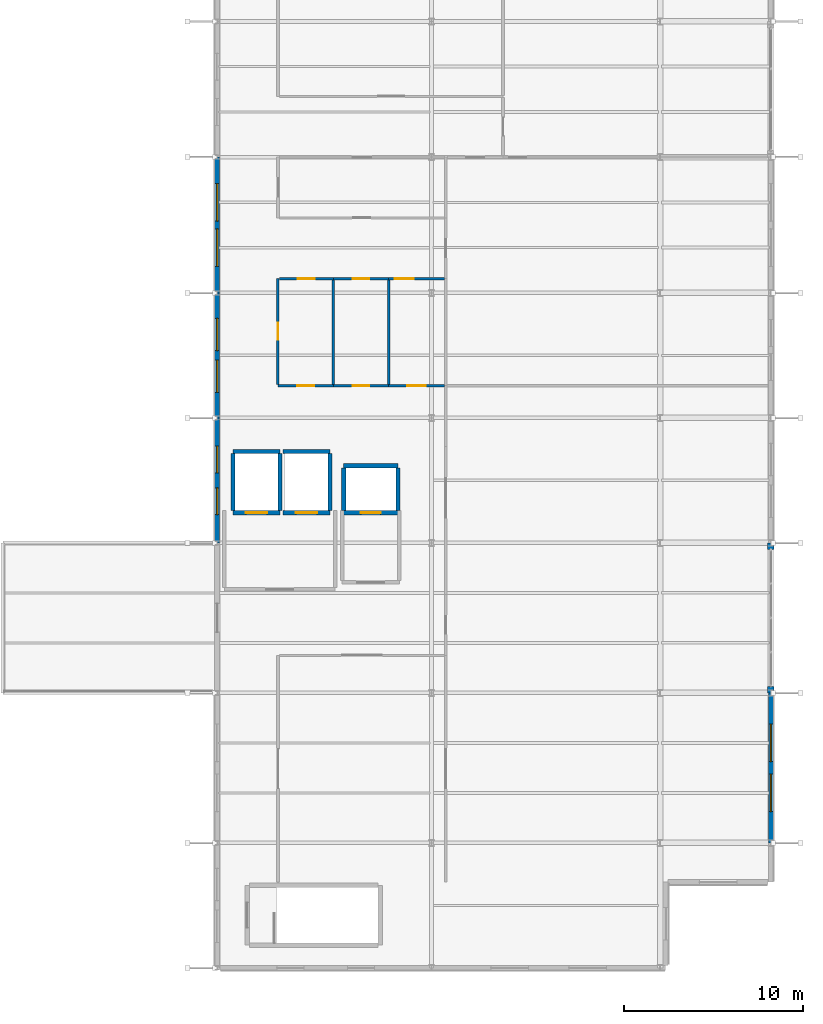
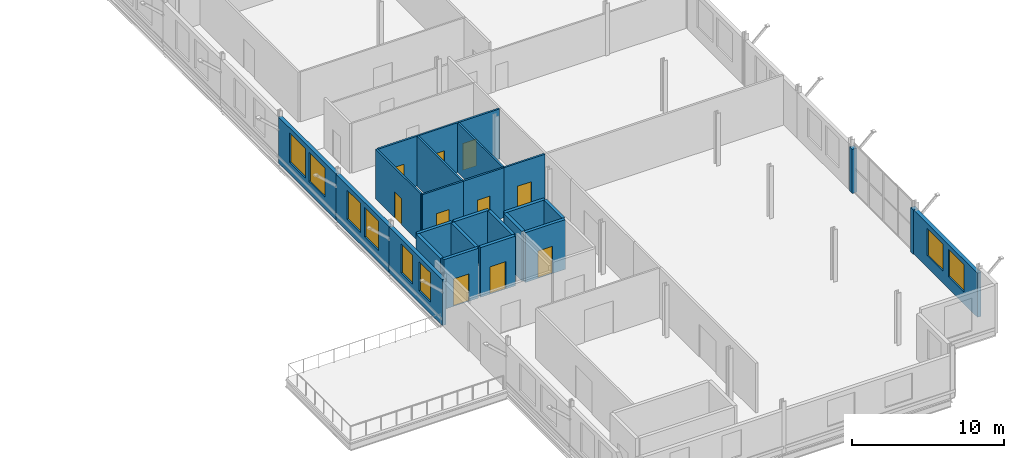
# One storey, part 21 of 25: 26 walls, 10 doors, 8 windows, 18 openings.
"""IFC4 building model written with IfcOpenShell, lengths in metres."""

from ifc_helpers import new_model, si_unit, direction, frame, frame_2d, origin, place, context, subcontext, project, spatial, rectangle, extrude, material, layer, layer_set, type_object, element, fill, save


model = new_model("IFC4")

# Units and contexts
model_context = context("Model", 3, precision=1e-05, world=origin(), true_north=direction((0.0, 1.0)))
body_context = subcontext(model_context, "Body", "Model", "MODEL_VIEW")
ifc_project = project(units=[si_unit("LENGTHUNIT", "METRE"), si_unit("AREAUNIT", "SQUARE_METRE"), si_unit("VOLUMEUNIT", "CUBIC_METRE"), si_unit("PLANEANGLEUNIT", "RADIAN"), si_unit("MASSUNIT", "GRAM", prefix="KILO")], contexts=[model_context])

# Site, building, storey
site_placement = place(None, origin())
site = spatial("IfcSite", under=ifc_project, at=site_placement, CompositionType="ELEMENT")
building_placement = place(site_placement, origin())
building = spatial("IfcBuilding", under=site, at=building_placement, Name="Vekula Escarpment Museum", CompositionType="ELEMENT")
storey_placement = place(building_placement, frame((0.0, 0.0, 26.39990234375)))
storey = spatial("IfcBuildingStorey", under=building, at=storey_placement, Name="L06", CompositionType="ELEMENT", Elevation=26.39990234375)

# Walls
ifc_material_1 = material(Name="Inkisi arkosic sandstone masonry", Category="masonry")
ifc_layer_1 = layer(ifc_material_1, 0.35009765625)
ifc_layer_set_1 = layer_set([ifc_layer_1], Name="Inkisi arkosic sandstone masonry")
wall_type_1 = type_object("IfcWallType", Name="WL-ALM-350", PredefinedType="SOLIDWALL", material=ifc_layer_set_1)
wall_1_placement = place(storey_placement, frame((198.0, 68.0, 0.0), z_axis=(0.0, 0.0, 1.0), x_axis=(0.0, 1.0, 0.0)))
element("IfcWall", 1, at=wall_1_placement, inside=storey, type_object=wall_type_1, Name="Facade Jamb Pier L06-0907A", PredefinedType="SOLIDWALL", context=body_context, shape_type="SweptSolid", body=[
    extrude(rectangle(XDim=0.360107421875, YDim=0.35009765625, at=frame_2d((0.18017578125, 0.0))), origin(), (0.0, 0.0, 1.0), 3.545166015625),
])
wall_2_placement = place(storey_placement, frame((198.0, 76.0400390625, 0.0), z_axis=(0.0, 0.0, 1.0), x_axis=(0.0, 1.0, 0.0)))
element("IfcWall", 2, at=wall_2_placement, inside=storey, type_object=wall_type_1, Name="Facade Jamb Pier L06-0908B", PredefinedType="SOLIDWALL", context=body_context, shape_type="SweptSolid", body=[
    extrude(rectangle(XDim=0.35986328125, YDim=0.35009765625, at=frame_2d((0.179931640625, 0.0))), origin(), (0.0, 0.0, 1.0), 3.545166015625),
])

# Wall, openings, windows
ifc_material_2 = material(Name="Inkisi arkosic sandstone masonry", Category="masonry")
ifc_layer_2 = layer(ifc_material_2, 0.280029296875)
ifc_layer_set_2 = layer_set([ifc_layer_2], Name="Inkisi arkosic sandstone masonry")
wall_type_2 = type_object("IfcWallType", Name="WL-CUM-280", PredefinedType="SOLIDWALL", material=ifc_layer_set_2)
wall_3_placement = place(storey_placement, frame((198.0, 68.0, 0.0), z_axis=(0.0, 0.0, 1.0), x_axis=(0.0, -1.0, 0.0)))
wall_3 = element("IfcWall", 3, at=wall_3_placement, inside=storey, type_object=wall_type_2, Name="Exterior Wall WL-EXT-L06-0906", PredefinedType="SOLIDWALL", context=body_context, shape_type="SweptSolid", body=[
    extrude(rectangle(XDim=8.39990234375, YDim=0.280029296875, at=frame_2d((4.199951171875, 0.0))), origin(), (0.0, 0.0, 1.0), 3.545166015625),
])
opening_1_placement = place(wall_3_placement, frame((1.75, 0.0, 0.949951171875)))
opening_1 = element("IfcOpeningElement", 4, at=opening_1_placement, cuts=wall_3, Name="Opening WN-08", PredefinedType="OPENING", context=body_context, shape_type="SweptSolid", body=[
    extrude(rectangle(XDim=2.10009765625, YDim=2.199951171875, at=frame_2d((1.050048828125, 1.10009765625))), frame((0.0, 0.14990234375, 0.0), z_axis=(0.0, -1.0, 0.0), x_axis=(1.0, 0.0, 0.0)), (0.0, 0.0, 1.0), 0.300048828125),
])
opening_2_placement = place(wall_3_placement, frame((4.550048828125, 0.0, 0.949951171875)))
opening_2 = element("IfcOpeningElement", 5, at=opening_2_placement, cuts=wall_3, Name="Opening WN-08", PredefinedType="OPENING", context=body_context, shape_type="SweptSolid", body=[
    extrude(rectangle(XDim=2.10009765625, YDim=2.199951171875, at=frame_2d((1.050048828125, 1.10009765625))), frame((0.0, 0.14990234375, 0.0), z_axis=(0.0, -1.0, 0.0), x_axis=(1.0, 0.0, 0.0)), (0.0, 0.0, 1.0), 0.300048828125),
])
ifc_material_3 = material(Name="Double solar-control low-E glass", Category="glass")
window_type_1 = type_object("IfcWindowType", Name="WN-CUMBA-21x28", PartitioningType="DOUBLE_PANEL_VERTICAL", PredefinedType="WINDOW", material=ifc_material_3)
window_1_placement = place(opening_1_placement, origin())
window_1 = element("IfcWindow", 6, at=window_1_placement, inside=storey, type_object=window_type_1, Name="Window L06-0504", OverallHeight=2.199951171875, OverallWidth=2.10009765625, PartitioningType="SINGLE_PANEL", PredefinedType="WINDOW", context=body_context, shape_type="SweptSolid", body=[
    extrude(rectangle(XDim=2.10009765625, YDim=2.199951171875, at=frame_2d((1.050048828125, 1.10009765625))), frame((0.0, 0.030029296875, 0.0), z_axis=(0.0, -1.0, 0.0), x_axis=(1.0, 0.0, 0.0)), (0.0, 0.0, 1.0), 0.06005859375),
])
fill(opening_1, window_1)
window_2_placement = place(opening_2_placement, origin())
window_2 = element("IfcWindow", 7, at=window_2_placement, inside=storey, type_object=window_type_1, Name="Window L06-0505", OverallHeight=2.199951171875, OverallWidth=2.10009765625, PartitioningType="SINGLE_PANEL", PredefinedType="WINDOW", context=body_context, shape_type="SweptSolid", body=[
    extrude(rectangle(XDim=2.10009765625, YDim=2.199951171875, at=frame_2d((1.050048828125, 1.10009765625))), frame((0.0, 0.030029296875, 0.0), z_axis=(0.0, -1.0, 0.0), x_axis=(1.0, 0.0, 0.0)), (0.0, 0.0, 1.0), 0.06005859375),
])
fill(opening_2, window_2)

wall_4_placement = place(storey_placement, frame((167.0, 90.39990234375, 0.0), z_axis=(0.0, 0.0, 1.0), x_axis=(0.0, 1.0, 0.0)))
wall_4 = element("IfcWall", 8, at=wall_4_placement, inside=storey, type_object=wall_type_2, Name="Exterior Wall WL-EXT-L06-0923", PredefinedType="SOLIDWALL", context=body_context, shape_type="SweptSolid", body=[
    extrude(rectangle(XDim=7.60009765625, YDim=0.280029296875, at=frame_2d((3.800048828125, 0.0))), origin(), (0.0, 0.0, 1.0), 3.695068359375),
])
opening_3_placement = place(wall_4_placement, frame((1.4833984375, 0.0, 0.949951171875)))
opening_3 = element("IfcOpeningElement", 9, at=opening_3_placement, cuts=wall_4, Name="Opening WN-08", PredefinedType="OPENING", context=body_context, shape_type="SweptSolid", body=[
    extrude(rectangle(XDim=2.10009765625, YDim=2.35009765625, at=frame_2d((1.050048828125, 1.175048828125))), frame((0.0, 0.14990234375, 0.0), z_axis=(0.0, -1.0, 0.0), x_axis=(1.0, 0.0, 0.0)), (0.0, 0.0, 1.0), 0.300048828125),
])
opening_4_placement = place(wall_4_placement, frame((4.0166015625, 0.0, 0.949951171875)))
opening_4 = element("IfcOpeningElement", 10, at=opening_4_placement, cuts=wall_4, Name="Opening WN-08", PredefinedType="OPENING", context=body_context, shape_type="SweptSolid", body=[
    extrude(rectangle(XDim=2.10009765625, YDim=2.35009765625, at=frame_2d((1.050048828125, 1.175048828125))), frame((0.0, 0.14990234375, 0.0), z_axis=(0.0, -1.0, 0.0), x_axis=(1.0, 0.0, 0.0)), (0.0, 0.0, 1.0), 0.300048828125),
])
window_3_placement = place(opening_3_placement, origin())
window_3 = element("IfcWindow", 11, at=window_3_placement, inside=storey, type_object=window_type_1, Name="Window L06-0525", OverallHeight=2.35009765625, OverallWidth=2.10009765625, PartitioningType="SINGLE_PANEL", PredefinedType="WINDOW", context=body_context, shape_type="SweptSolid", body=[
    extrude(rectangle(XDim=2.10009765625, YDim=2.35009765625, at=frame_2d((1.050048828125, 1.175048828125))), frame((0.0, 0.030029296875, 0.0), z_axis=(0.0, -1.0, 0.0), x_axis=(1.0, 0.0, 0.0)), (0.0, 0.0, 1.0), 0.06005859375),
])
fill(opening_3, window_3)
window_4_placement = place(opening_4_placement, origin())
window_4 = element("IfcWindow", 12, at=window_4_placement, inside=storey, type_object=window_type_1, Name="Window L06-0526", OverallHeight=2.35009765625, OverallWidth=2.10009765625, PartitioningType="SINGLE_PANEL", PredefinedType="WINDOW", context=body_context, shape_type="SweptSolid", body=[
    extrude(rectangle(XDim=2.10009765625, YDim=2.35009765625, at=frame_2d((1.050048828125, 1.175048828125))), frame((0.0, 0.030029296875, 0.0), z_axis=(0.0, -1.0, 0.0), x_axis=(1.0, 0.0, 0.0)), (0.0, 0.0, 1.0), 0.06005859375),
])
fill(opening_4, window_4)

wall_5_placement = place(storey_placement, frame((167.0, 83.39990234375, 0.0), z_axis=(0.0, 0.0, 1.0), x_axis=(0.0, 1.0, 0.0)))
wall_5 = element("IfcWall", 13, at=wall_5_placement, inside=storey, type_object=wall_type_2, Name="Exterior Wall WL-EXT-L06-0924", PredefinedType="SOLIDWALL", context=body_context, shape_type="SweptSolid", body=[
    extrude(rectangle(XDim=7.0, YDim=0.280029296875, at=frame_2d((3.5, 0.0))), origin(), (0.0, 0.0, 1.0), 3.695068359375),
])
opening_5_placement = place(wall_5_placement, frame((1.433349609375, 0.0, 0.949951171875)))
opening_5 = element("IfcOpeningElement", 14, at=opening_5_placement, cuts=wall_5, Name="Opening WN-07", PredefinedType="OPENING", context=body_context, shape_type="SweptSolid", body=[
    extrude(rectangle(XDim=1.800048828125, YDim=2.35009765625, at=frame_2d((0.89990234375, 1.175048828125))), frame((0.0, 0.14990234375, 0.0), z_axis=(0.0, -1.0, 0.0), x_axis=(1.0, 0.0, 0.0)), (0.0, 0.0, 1.0), 0.300048828125),
])
opening_6_placement = place(wall_5_placement, frame((3.7666015625, 0.0, 0.949951171875)))
opening_6 = element("IfcOpeningElement", 15, at=opening_6_placement, cuts=wall_5, Name="Opening WN-07", PredefinedType="OPENING", context=body_context, shape_type="SweptSolid", body=[
    extrude(rectangle(XDim=1.800048828125, YDim=2.35009765625, at=frame_2d((0.89990234375, 1.175048828125))), frame((0.0, 0.14990234375, 0.0), z_axis=(0.0, -1.0, 0.0), x_axis=(1.0, 0.0, 0.0)), (0.0, 0.0, 1.0), 0.300048828125),
])
ifc_material_4 = material(Name="Double solar-control low-E glass", Category="glass")
window_type_2 = type_object("IfcWindowType", Name="WN-CUMBA-18x26", PartitioningType="DOUBLE_PANEL_VERTICAL", PredefinedType="WINDOW", material=ifc_material_4)
window_5_placement = place(opening_5_placement, origin())
window_5 = element("IfcWindow", 16, at=window_5_placement, inside=storey, type_object=window_type_2, Name="Window L06-0527", OverallHeight=2.35009765625, OverallWidth=1.800048828125, PartitioningType="SINGLE_PANEL", PredefinedType="WINDOW", context=body_context, shape_type="SweptSolid", body=[
    extrude(rectangle(XDim=1.800048828125, YDim=2.35009765625, at=frame_2d((0.89990234375, 1.175048828125))), frame((0.0, 0.030029296875, 0.0), z_axis=(0.0, -1.0, 0.0), x_axis=(1.0, 0.0, 0.0)), (0.0, 0.0, 1.0), 0.06005859375),
])
fill(opening_5, window_5)
window_6_placement = place(opening_6_placement, origin())
window_6 = element("IfcWindow", 17, at=window_6_placement, inside=storey, type_object=window_type_2, Name="Window L06-0528", OverallHeight=2.35009765625, OverallWidth=1.800048828125, PartitioningType="SINGLE_PANEL", PredefinedType="WINDOW", context=body_context, shape_type="SweptSolid", body=[
    extrude(rectangle(XDim=1.800048828125, YDim=2.35009765625, at=frame_2d((0.89990234375, 1.175048828125))), frame((0.0, 0.030029296875, 0.0), z_axis=(0.0, -1.0, 0.0), x_axis=(1.0, 0.0, 0.0)), (0.0, 0.0, 1.0), 0.06005859375),
])
fill(opening_6, window_6)

wall_6_placement = place(storey_placement, frame((167.0, 76.39990234375, 0.0), z_axis=(0.0, 0.0, 1.0), x_axis=(0.0, 1.0, 0.0)))
wall_6 = element("IfcWall", 18, at=wall_6_placement, inside=storey, type_object=wall_type_2, Name="Exterior Wall WL-EXT-L06-0925", PredefinedType="SOLIDWALL", context=body_context, shape_type="SweptSolid", body=[
    extrude(rectangle(XDim=7.0, YDim=0.280029296875, at=frame_2d((3.5, 0.0))), origin(), (0.0, 0.0, 1.0), 3.695068359375),
])
opening_7_placement = place(wall_6_placement, frame((1.583251953125, 0.0, 0.949951171875)))
opening_7 = element("IfcOpeningElement", 19, at=opening_7_placement, cuts=wall_6, Name="Opening WN-06", PredefinedType="OPENING", context=body_context, shape_type="SweptSolid", body=[
    extrude(rectangle(XDim=1.5, YDim=2.35009765625, at=frame_2d((0.75, 1.175048828125))), frame((0.0, 0.14990234375, 0.0), z_axis=(0.0, -1.0, 0.0), x_axis=(1.0, 0.0, 0.0)), (0.0, 0.0, 1.0), 0.300048828125),
])
opening_8_placement = place(wall_6_placement, frame((3.916748046875, 0.0, 0.949951171875)))
opening_8 = element("IfcOpeningElement", 20, at=opening_8_placement, cuts=wall_6, Name="Opening WN-06", PredefinedType="OPENING", context=body_context, shape_type="SweptSolid", body=[
    extrude(rectangle(XDim=1.5, YDim=2.35009765625, at=frame_2d((0.75, 1.175048828125))), frame((0.0, 0.14990234375, 0.0), z_axis=(0.0, -1.0, 0.0), x_axis=(1.0, 0.0, 0.0)), (0.0, 0.0, 1.0), 0.300048828125),
])
ifc_material_5 = material(Name="Double solar-control low-E glass", Category="glass")
window_type_3 = type_object("IfcWindowType", Name="WN-CUMBA-15x24", PartitioningType="SINGLE_PANEL", PredefinedType="WINDOW", material=ifc_material_5)
window_7_placement = place(opening_7_placement, origin())
window_7 = element("IfcWindow", 21, at=window_7_placement, inside=storey, type_object=window_type_3, Name="Window L06-0529", OverallHeight=2.35009765625, OverallWidth=1.5, PartitioningType="SINGLE_PANEL", PredefinedType="WINDOW", context=body_context, shape_type="SweptSolid", body=[
    extrude(rectangle(XDim=1.5, YDim=2.35009765625, at=frame_2d((0.75, 1.175048828125))), frame((0.0, 0.030029296875, 0.0), z_axis=(0.0, -1.0, 0.0), x_axis=(1.0, 0.0, 0.0)), (0.0, 0.0, 1.0), 0.06005859375),
])
fill(opening_7, window_7)
window_8_placement = place(opening_8_placement, origin())
window_8 = element("IfcWindow", 22, at=window_8_placement, inside=storey, type_object=window_type_3, Name="Window L06-0530", OverallHeight=2.35009765625, OverallWidth=1.5, PartitioningType="SINGLE_PANEL", PredefinedType="WINDOW", context=body_context, shape_type="SweptSolid", body=[
    extrude(rectangle(XDim=1.5, YDim=2.35009765625, at=frame_2d((0.75, 1.175048828125))), frame((0.0, 0.030029296875, 0.0), z_axis=(0.0, -1.0, 0.0), x_axis=(1.0, 0.0, 0.0)), (0.0, 0.0, 1.0), 0.06005859375),
])
fill(opening_8, window_8)

# Wall, opening, door
ifc_material_6 = material(Name="Moisture-resistant wet-room partition", Category="gypsum")
ifc_layer_3 = layer(ifc_material_6, 0.139892578125)
ifc_layer_set_3 = layer_set([ifc_layer_3], Name="Moisture-resistant wet-room partition")
wall_type_3 = type_object("IfcWallType", Name="WL-PART-140", PredefinedType="PARTITIONING", material=ifc_layer_set_3)
wall_7_placement = place(storey_placement, frame((170.39990234375, 85.199951171875, 0.0), z_axis=(0.0, 0.0, 1.0), x_axis=(1.0, 0.0, 0.0)))
wall_7 = element("IfcWall", 23, at=wall_7_placement, inside=storey, type_object=wall_type_3, Name="Interior Partition WL-INT-L06-0006", PredefinedType="PARTITIONING", context=body_context, shape_type="SweptSolid", body=[
    extrude(rectangle(XDim=3.10009765625, YDim=0.139892578125, at=frame_2d((1.550048828125, 0.0))), origin(), (0.0, 0.0, 1.0), 4.0),
])
opening_9_placement = place(wall_7_placement, frame((1.074951171875, 0.0, 0.0)))
opening_9 = element("IfcOpeningElement", 24, at=opening_9_placement, cuts=wall_7, Name="Opening DR-WC09", PredefinedType="OPENING", context=body_context, shape_type="SweptSolid", body=[
    extrude(rectangle(XDim=0.949951171875, YDim=2.10009765625, at=frame_2d((0.47509765625, 1.050048828125))), frame((0.0, 0.079833984375, 0.0), z_axis=(0.0, -1.0, 0.0), x_axis=(1.0, 0.0, 0.0)), (0.0, 0.0, 1.0), 0.159912109375),
])
ifc_material_7 = material(Name="Laminate washroom door", Category="wood")
door_type_1 = type_object("IfcDoorType", Name="DR-WC-0950x2100", OperationType="NOTDEFINED", PredefinedType="DOOR", material=ifc_material_7)
door_1_placement = place(opening_9_placement, origin())
door_1 = element("IfcDoor", 25, at=door_1_placement, inside=storey, type_object=door_type_1, Name="Interior Door L06-005", OperationType="SINGLE_SWING_LEFT", OverallHeight=2.10009765625, OverallWidth=0.949951171875, PredefinedType="DOOR", context=body_context, shape_type="SweptSolid", body=[
    extrude(rectangle(XDim=0.949951171875, YDim=2.10009765625, at=frame_2d((0.47509765625, 1.050048828125))), frame((0.0, 0.02490234375, 0.0), z_axis=(0.0, -1.0, 0.0), x_axis=(1.0, 0.0, 0.0)), (0.0, 0.0, 1.0), 0.050048828125),
])
fill(opening_9, door_1)

wall_8_placement = place(storey_placement, frame((173.5, 85.199951171875, 0.0), z_axis=(0.0, 0.0, 1.0), x_axis=(1.0, 0.0, 0.0)))
wall_8 = element("IfcWall", 26, at=wall_8_placement, inside=storey, type_object=wall_type_3, Name="Interior Partition WL-INT-L06-0007", PredefinedType="PARTITIONING", context=body_context, shape_type="SweptSolid", body=[
    extrude(rectangle(XDim=3.10009765625, YDim=0.139892578125, at=frame_2d((1.550048828125, 0.0))), origin(), (0.0, 0.0, 1.0), 4.0),
])
opening_10_placement = place(wall_8_placement, frame((1.074951171875, 0.0, 0.0)))
opening_10 = element("IfcOpeningElement", 27, at=opening_10_placement, cuts=wall_8, Name="Opening DR-WC09", PredefinedType="OPENING", context=body_context, shape_type="SweptSolid", body=[
    extrude(rectangle(XDim=0.949951171875, YDim=2.10009765625, at=frame_2d((0.47509765625, 1.050048828125))), frame((0.0, 0.079833984375, 0.0), z_axis=(0.0, -1.0, 0.0), x_axis=(1.0, 0.0, 0.0)), (0.0, 0.0, 1.0), 0.159912109375),
])
door_2_placement = place(opening_10_placement, origin())
door_2 = element("IfcDoor", 28, at=door_2_placement, inside=storey, type_object=door_type_1, Name="Interior Door L06-006", OperationType="SINGLE_SWING_RIGHT", OverallHeight=2.10009765625, OverallWidth=0.949951171875, PredefinedType="DOOR", context=body_context, shape_type="SweptSolid", body=[
    extrude(rectangle(XDim=0.949951171875, YDim=2.10009765625, at=frame_2d((0.47509765625, 1.050048828125))), frame((0.0, 0.02490234375, 0.0), z_axis=(0.0, -1.0, 0.0), x_axis=(1.0, 0.0, 0.0)), (0.0, 0.0, 1.0), 0.050048828125),
])
fill(opening_10, door_2)

wall_9_placement = place(storey_placement, frame((176.60009765625, 85.199951171875, 0.0), z_axis=(0.0, 0.0, 1.0), x_axis=(1.0, 0.0, 0.0)))
wall_9 = element("IfcWall", 29, at=wall_9_placement, inside=storey, type_object=wall_type_3, Name="Interior Partition WL-INT-L06-0008", PredefinedType="PARTITIONING", context=body_context, shape_type="SweptSolid", body=[
    extrude(rectangle(XDim=3.120849609375, YDim=0.139892578125, at=frame_2d((1.560546875, 0.0))), origin(), (0.0, 0.0, 1.0), 4.0),
])
opening_11_placement = place(wall_9_placement, frame((1.035400390625, 0.0, 0.0)))
opening_11 = element("IfcOpeningElement", 30, at=opening_11_placement, cuts=wall_9, Name="Opening DR-PM10", PredefinedType="OPENING", context=body_context, shape_type="SweptSolid", body=[
    extrude(rectangle(XDim=1.050048828125, YDim=2.14990234375, at=frame_2d((0.52490234375, 1.074951171875))), frame((0.0, 0.079833984375, 0.0), z_axis=(0.0, -1.0, 0.0), x_axis=(1.0, 0.0, 0.0)), (0.0, 0.0, 1.0), 0.159912109375),
])
ifc_material_8 = material(Name="Accessible PMR washroom door", Category="steel")
door_type_2 = type_object("IfcDoorType", Name="DR-PMR-1050x2150", OperationType="NOTDEFINED", PredefinedType="DOOR", material=ifc_material_8)
door_3_placement = place(opening_11_placement, origin())
door_3 = element("IfcDoor", 31, at=door_3_placement, inside=storey, type_object=door_type_2, Name="Interior Door L06-007", OperationType="SINGLE_SWING_LEFT", OverallHeight=2.14990234375, OverallWidth=1.050048828125, PredefinedType="DOOR", context=body_context, shape_type="SweptSolid", body=[
    extrude(rectangle(XDim=1.050048828125, YDim=2.14990234375, at=frame_2d((0.52490234375, 1.074951171875))), frame((0.0, 0.02490234375, 0.0), z_axis=(0.0, -1.0, 0.0), x_axis=(1.0, 0.0, 0.0)), (0.0, 0.0, 1.0), 0.050048828125),
])
fill(opening_11, door_3)

wall_10_placement = place(storey_placement, frame((170.39990234375, 85.27392578125, 0.0), z_axis=(0.0, 0.0, 1.0), x_axis=(0.0, 1.0, 0.0)))
wall_10 = element("IfcWall", 32, at=wall_10_placement, inside=storey, type_object=wall_type_3, Name="Interior Partition WL-INT-L06-0009", PredefinedType="PARTITIONING", context=body_context, shape_type="SweptSolid", body=[
    extrude(rectangle(XDim=5.926025390625, YDim=0.139892578125, at=frame_2d((2.962890625, 0.0))), origin(), (0.0, 0.0, 1.0), 4.0),
])
opening_12_placement = place(wall_10_placement, frame((2.488037109375, 0.0, 0.0)))
opening_12 = element("IfcOpeningElement", 33, at=opening_12_placement, cuts=wall_10, Name="Opening DR-WC09", PredefinedType="OPENING", context=body_context, shape_type="SweptSolid", body=[
    extrude(rectangle(XDim=0.949951171875, YDim=2.10009765625, at=frame_2d((0.47509765625, 1.050048828125))), frame((0.0, 0.079833984375, 0.0), z_axis=(0.0, -1.0, 0.0), x_axis=(1.0, 0.0, 0.0)), (0.0, 0.0, 1.0), 0.159912109375),
])
door_4_placement = place(opening_12_placement, origin())
door_4 = element("IfcDoor", 34, at=door_4_placement, inside=storey, type_object=door_type_1, Name="Interior Door L06-008", OperationType="SINGLE_SWING_RIGHT", OverallHeight=2.10009765625, OverallWidth=0.949951171875, PredefinedType="DOOR", context=body_context, shape_type="SweptSolid", body=[
    extrude(rectangle(XDim=0.949951171875, YDim=2.10009765625, at=frame_2d((0.47509765625, 1.050048828125))), frame((0.0, 0.02490234375, 0.0), z_axis=(0.0, -1.0, 0.0), x_axis=(1.0, 0.0, 0.0)), (0.0, 0.0, 1.0), 0.050048828125),
])
fill(opening_12, door_4)

wall_11_placement = place(storey_placement, frame((170.47412109375, 91.199951171875, 0.0), z_axis=(0.0, 0.0, 1.0), x_axis=(1.0, 0.0, 0.0)))
wall_11 = element("IfcWall", 35, at=wall_11_placement, inside=storey, type_object=wall_type_3, Name="Interior Partition WL-INT-L06-0012", PredefinedType="PARTITIONING", context=body_context, shape_type="SweptSolid", body=[
    extrude(rectangle(XDim=3.02587890625, YDim=0.139892578125, at=frame_2d((1.512939453125, 0.0))), origin(), (0.0, 0.0, 1.0), 4.0),
])
opening_13_placement = place(wall_11_placement, frame((1.0380859375, 0.0, 0.0)))
opening_13 = element("IfcOpeningElement", 36, at=opening_13_placement, cuts=wall_11, Name="Opening DR-WC09", PredefinedType="OPENING", context=body_context, shape_type="SweptSolid", body=[
    extrude(rectangle(XDim=0.949951171875, YDim=2.10009765625, at=frame_2d((0.47509765625, 1.050048828125))), frame((0.0, 0.079833984375, 0.0), z_axis=(0.0, -1.0, 0.0), x_axis=(1.0, 0.0, 0.0)), (0.0, 0.0, 1.0), 0.159912109375),
])
door_5_placement = place(opening_13_placement, origin())
door_5 = element("IfcDoor", 37, at=door_5_placement, inside=storey, type_object=door_type_1, Name="Interior Door L06-011", OperationType="SINGLE_SWING_LEFT", OverallHeight=2.10009765625, OverallWidth=0.949951171875, PredefinedType="DOOR", context=body_context, shape_type="SweptSolid", body=[
    extrude(rectangle(XDim=0.949951171875, YDim=2.10009765625, at=frame_2d((0.47509765625, 1.050048828125))), frame((0.0, 0.02490234375, 0.0), z_axis=(0.0, -1.0, 0.0), x_axis=(1.0, 0.0, 0.0)), (0.0, 0.0, 1.0), 0.050048828125),
])
fill(opening_13, door_5)

wall_12_placement = place(storey_placement, frame((173.5, 91.199951171875, 0.0), z_axis=(0.0, 0.0, 1.0), x_axis=(1.0, 0.0, 0.0)))
wall_12 = element("IfcWall", 38, at=wall_12_placement, inside=storey, type_object=wall_type_3, Name="Interior Partition WL-INT-L06-0013", PredefinedType="PARTITIONING", context=body_context, shape_type="SweptSolid", body=[
    extrude(rectangle(XDim=3.10009765625, YDim=0.139892578125, at=frame_2d((1.550048828125, 0.0))), origin(), (0.0, 0.0, 1.0), 4.0),
])
opening_14_placement = place(wall_12_placement, frame((1.074951171875, 0.0, 0.0)))
opening_14 = element("IfcOpeningElement", 39, at=opening_14_placement, cuts=wall_12, Name="Opening DR-WC09", PredefinedType="OPENING", context=body_context, shape_type="SweptSolid", body=[
    extrude(rectangle(XDim=0.949951171875, YDim=2.10009765625, at=frame_2d((0.47509765625, 1.050048828125))), frame((0.0, 0.079833984375, 0.0), z_axis=(0.0, -1.0, 0.0), x_axis=(1.0, 0.0, 0.0)), (0.0, 0.0, 1.0), 0.159912109375),
])
door_6_placement = place(opening_14_placement, origin())
door_6 = element("IfcDoor", 40, at=door_6_placement, inside=storey, type_object=door_type_1, Name="Interior Door L06-012", OperationType="SINGLE_SWING_RIGHT", OverallHeight=2.10009765625, OverallWidth=0.949951171875, PredefinedType="DOOR", context=body_context, shape_type="SweptSolid", body=[
    extrude(rectangle(XDim=0.949951171875, YDim=2.10009765625, at=frame_2d((0.47509765625, 1.050048828125))), frame((0.0, 0.02490234375, 0.0), z_axis=(0.0, -1.0, 0.0), x_axis=(1.0, 0.0, 0.0)), (0.0, 0.0, 1.0), 0.050048828125),
])
fill(opening_14, door_6)

wall_13_placement = place(storey_placement, frame((176.60009765625, 91.199951171875, 0.0), z_axis=(0.0, 0.0, 1.0), x_axis=(1.0, 0.0, 0.0)))
wall_13 = element("IfcWall", 41, at=wall_13_placement, inside=storey, type_object=wall_type_3, Name="Interior Partition WL-INT-L06-0014", PredefinedType="PARTITIONING", context=body_context, shape_type="SweptSolid", body=[
    extrude(rectangle(XDim=3.120849609375, YDim=0.139892578125, at=frame_2d((1.560546875, 0.0))), origin(), (0.0, 0.0, 1.0), 4.0),
])
opening_15_placement = place(wall_13_placement, frame((0.35009765625, 0.0, 0.0)))
opening_15 = element("IfcOpeningElement", 42, at=opening_15_placement, cuts=wall_13, Name="Opening DR-PM10", PredefinedType="OPENING", context=body_context, shape_type="SweptSolid", body=[
    extrude(rectangle(XDim=1.050048828125, YDim=2.14990234375, at=frame_2d((0.52490234375, 1.074951171875))), frame((0.0, 0.079833984375, 0.0), z_axis=(0.0, -1.0, 0.0), x_axis=(1.0, 0.0, 0.0)), (0.0, 0.0, 1.0), 0.159912109375),
])
door_7_placement = place(opening_15_placement, origin())
door_7 = element("IfcDoor", 43, at=door_7_placement, inside=storey, type_object=door_type_2, Name="Interior Door L06-013", OperationType="SINGLE_SWING_LEFT", OverallHeight=2.14990234375, OverallWidth=1.050048828125, PredefinedType="DOOR", context=body_context, shape_type="SweptSolid", body=[
    extrude(rectangle(XDim=1.050048828125, YDim=2.14990234375, at=frame_2d((0.52490234375, 1.074951171875))), frame((0.0, 0.02490234375, 0.0), z_axis=(0.0, -1.0, 0.0), x_axis=(1.0, 0.0, 0.0)), (0.0, 0.0, 1.0), 0.050048828125),
])
fill(opening_15, door_7)

# Walls
for number, where, z_axis, x_axis, name in (
    (44, (173.5, 85.27392578125, 0.0), (0.0, 0.0, 1.0), (0.0, 1.0, 0.0), "Interior Partition WL-INT-L06-0022"),
    (45, (176.60009765625, 85.27392578125, 0.0), (0.0, 0.0, 1.0), (0.0, 1.0, 0.0), "Interior Partition WL-INT-L06-0023"),
):
    element("IfcWall", number, at=place(storey_placement, frame(where, z_axis=z_axis, x_axis=x_axis)), inside=storey, type_object=wall_type_3, Name=name, PredefinedType="PARTITIONING", context=body_context, shape_type="SweptSolid", body=[
        extrude(rectangle(XDim=5.85205078125, YDim=0.139892578125, at=frame_2d((2.926025390625, 0.0))), origin(), (0.0, 0.0, 1.0), 4.0),
    ])

# Wall, opening, door
ifc_material_9 = material(Name="Concrete C35/45", Category="concrete")
ifc_layer_4 = layer(ifc_material_9, 0.239990234375)
ifc_layer_set_4 = layer_set([ifc_layer_4], Name="Concrete C35/45")
wall_type_4 = type_object("IfcWallType", Name="WL-SHF-240", PredefinedType="SHEAR", material=ifc_layer_set_4)
wall_14_placement = place(storey_placement, frame((167.8798828125, 78.080078125, 0.0), z_axis=(0.0, 0.0, 1.0), x_axis=(1.0, 0.0, 0.0)))
wall_14 = element("IfcWall", 46, at=wall_14_placement, inside=storey, type_object=wall_type_4, Name="Lift Shaft Wall LF-01 L06 S", PredefinedType="SHEAR", context=body_context, shape_type="SweptSolid", body=[
    extrude(rectangle(XDim=2.64013671875, YDim=0.239990234375, at=frame_2d((1.320068359375, 0.0))), origin(), (0.0, 0.0, 1.0), 4.0),
])
opening_16_placement = place(wall_14_placement, frame((0.719970703125, 0.0, 0.0)))
opening_16 = element("IfcOpeningElement", 47, at=opening_16_placement, cuts=wall_14, Name="Opening LD-FF", PredefinedType="OPENING", context=body_context, shape_type="SweptSolid", body=[
    extrude(rectangle(XDim=1.199951171875, YDim=2.199951171875, at=frame_2d((0.60009765625, 1.10009765625))), frame((0.0, 0.1298828125, 0.0), z_axis=(0.0, -1.0, 0.0), x_axis=(1.0, 0.0, 0.0)), (0.0, 0.0, 1.0), 0.260009765625),
])
ifc_material_10 = material(Name="Fire-rated stainless steel sliding lift landing door", Category="steel")
door_type_3 = type_object("IfcDoorType", Name="DR-LD-FF-1200", OperationType="DOUBLE_DOOR_SLIDING", PredefinedType="DOOR", material=ifc_material_10)
door_8_placement = place(opening_16_placement, origin())
door_8 = element("IfcDoor", 48, at=door_8_placement, inside=storey, type_object=door_type_3, Name="Sliding Lift Landing Door LF-01 L06", OperationType="DOUBLE_DOOR_SLIDING", OverallHeight=2.199951171875, OverallWidth=1.199951171875, PredefinedType="DOOR", context=body_context, shape_type="SweptSolid", body=[
    extrude(rectangle(XDim=1.199951171875, YDim=2.199951171875, at=frame_2d((0.60009765625, 1.10009765625))), frame((0.0, 0.02490234375, 0.0), z_axis=(0.0, -1.0, 0.0), x_axis=(1.0, 0.0, 0.0)), (0.0, 0.0, 1.0), 0.050048828125),
])
fill(opening_16, door_8)

# Walls
wall_15_placement = place(storey_placement, frame((167.8798828125, 81.52001953125, 0.0), z_axis=(0.0, 0.0, 1.0), x_axis=(1.0, 0.0, 0.0)))
element("IfcWall", 49, at=wall_15_placement, inside=storey, type_object=wall_type_4, Name="Lift Shaft Wall LF-01 L06 N", PredefinedType="SHEAR", context=body_context, shape_type="SweptSolid", body=[
    extrude(rectangle(XDim=2.64013671875, YDim=0.239990234375, at=frame_2d((1.320068359375, 0.0))), origin(), (0.0, 0.0, 1.0), 4.0),
])
for number, where, z_axis, x_axis, name in (
    (50, (167.8798828125, 78.2041015625, 0.0), (0.0, 0.0, 1.0), (0.0, 1.0, 0.0), "Lift Shaft Wall LF-01 L06 W"),
    (51, (170.52001953125, 78.2041015625, 0.0), (0.0, 0.0, 1.0), (0.0, 1.0, 0.0), "Lift Shaft Wall LF-01 L06 E"),
):
    element("IfcWall", number, at=place(storey_placement, frame(where, z_axis=z_axis, x_axis=x_axis)), inside=storey, type_object=wall_type_4, Name=name, PredefinedType="SHEAR", context=body_context, shape_type="SweptSolid", body=[
        extrude(rectangle(XDim=3.19189453125, YDim=0.239990234375, at=frame_2d((1.595947265625, 0.0))), origin(), (0.0, 0.0, 1.0), 4.0),
    ])

# Wall, opening, door
wall_16_placement = place(storey_placement, frame((170.679931640625, 78.080078125, 0.0), z_axis=(0.0, 0.0, 1.0), x_axis=(1.0, 0.0, 0.0)))
wall_16 = element("IfcWall", 52, at=wall_16_placement, inside=storey, type_object=wall_type_4, Name="Lift Shaft Wall LF-02 L06 S", PredefinedType="SHEAR", context=body_context, shape_type="SweptSolid", body=[
    extrude(rectangle(XDim=2.64013671875, YDim=0.239990234375, at=frame_2d((1.320068359375, 0.0))), origin(), (0.0, 0.0, 1.0), 4.0),
])
opening_17_placement = place(wall_16_placement, frame((0.719970703125, 0.0, 0.0)))
opening_17 = element("IfcOpeningElement", 53, at=opening_17_placement, cuts=wall_16, Name="Opening LD-FF", PredefinedType="OPENING", context=body_context, shape_type="SweptSolid", body=[
    extrude(rectangle(XDim=1.199951171875, YDim=2.199951171875, at=frame_2d((0.60009765625, 1.10009765625))), frame((0.0, 0.1298828125, 0.0), z_axis=(0.0, -1.0, 0.0), x_axis=(1.0, 0.0, 0.0)), (0.0, 0.0, 1.0), 0.260009765625),
])
door_9_placement = place(opening_17_placement, origin())
door_9 = element("IfcDoor", 54, at=door_9_placement, inside=storey, type_object=door_type_3, Name="Sliding Lift Landing Door LF-02 L06", OperationType="DOUBLE_DOOR_SLIDING", OverallHeight=2.199951171875, OverallWidth=1.199951171875, PredefinedType="DOOR", context=body_context, shape_type="SweptSolid", body=[
    extrude(rectangle(XDim=1.199951171875, YDim=2.199951171875, at=frame_2d((0.60009765625, 1.10009765625))), frame((0.0, 0.02490234375, 0.0), z_axis=(0.0, -1.0, 0.0), x_axis=(1.0, 0.0, 0.0)), (0.0, 0.0, 1.0), 0.050048828125),
])
fill(opening_17, door_9)

# Walls
wall_17_placement = place(storey_placement, frame((170.679931640625, 81.52001953125, 0.0), z_axis=(0.0, 0.0, 1.0), x_axis=(1.0, 0.0, 0.0)))
element("IfcWall", 55, at=wall_17_placement, inside=storey, type_object=wall_type_4, Name="Lift Shaft Wall LF-02 L06 N", PredefinedType="SHEAR", context=body_context, shape_type="SweptSolid", body=[
    extrude(rectangle(XDim=2.64013671875, YDim=0.239990234375, at=frame_2d((1.320068359375, 0.0))), origin(), (0.0, 0.0, 1.0), 4.0),
])
wall_18_placement = place(storey_placement, frame((173.320068359375, 78.2041015625, 0.0), z_axis=(0.0, 0.0, 1.0), x_axis=(0.0, 1.0, 0.0)))
element("IfcWall", 56, at=wall_18_placement, inside=storey, type_object=wall_type_4, Name="Lift Shaft Wall LF-02 L06 E", PredefinedType="SHEAR", context=body_context, shape_type="SweptSolid", body=[
    extrude(rectangle(XDim=3.19189453125, YDim=0.239990234375, at=frame_2d((1.595947265625, 0.0))), origin(), (0.0, 0.0, 1.0), 4.0),
])

# Wall, opening, door
wall_19_placement = place(storey_placement, frame((174.080078125, 78.080078125, 0.0), z_axis=(0.0, 0.0, 1.0), x_axis=(1.0, 0.0, 0.0)))
wall_19 = element("IfcWall", 57, at=wall_19_placement, inside=storey, type_object=wall_type_4, Name="Lift Shaft Wall LP-03 L06 S", PredefinedType="SHEAR", context=body_context, shape_type="SweptSolid", body=[
    extrude(rectangle(XDim=3.0400390625, YDim=0.239990234375, at=frame_2d((1.52001953125, 0.0))), origin(), (0.0, 0.0, 1.0), 4.0),
])
opening_18_placement = place(wall_19_placement, frame((0.969970703125, 0.0, 0.0)))
opening_18 = element("IfcOpeningElement", 58, at=opening_18_placement, cuts=wall_19, Name="Opening LD-PAX", PredefinedType="OPENING", context=body_context, shape_type="SweptSolid", body=[
    extrude(rectangle(XDim=1.10009765625, YDim=2.199951171875, at=frame_2d((0.550048828125, 1.10009765625))), frame((0.0, 0.1298828125, 0.0), z_axis=(0.0, -1.0, 0.0), x_axis=(1.0, 0.0, 0.0)), (0.0, 0.0, 1.0), 0.260009765625),
])
ifc_material_11 = material(Name="Brushed stainless steel sliding lift landing door", Category="steel")
door_type_4 = type_object("IfcDoorType", Name="DR-LD-PAX-1100", OperationType="DOUBLE_DOOR_SLIDING", PredefinedType="DOOR", material=ifc_material_11)
door_10_placement = place(opening_18_placement, origin())
door_10 = element("IfcDoor", 59, at=door_10_placement, inside=storey, type_object=door_type_4, Name="Sliding Lift Landing Door LP-03 L06", OperationType="DOUBLE_DOOR_SLIDING", OverallHeight=2.199951171875, OverallWidth=1.10009765625, PredefinedType="DOOR", context=body_context, shape_type="SweptSolid", body=[
    extrude(rectangle(XDim=1.10009765625, YDim=2.199951171875, at=frame_2d((0.550048828125, 1.10009765625))), frame((0.0, 0.02490234375, 0.0), z_axis=(0.0, -1.0, 0.0), x_axis=(1.0, 0.0, 0.0)), (0.0, 0.0, 1.0), 0.050048828125),
])
fill(opening_18, door_10)

# Walls
wall_20_placement = place(storey_placement, frame((174.080078125, 80.719970703125, 0.0), z_axis=(0.0, 0.0, 1.0), x_axis=(1.0, 0.0, 0.0)))
element("IfcWall", 60, at=wall_20_placement, inside=storey, type_object=wall_type_4, Name="Lift Shaft Wall LP-03 L06 N", PredefinedType="SHEAR", context=body_context, shape_type="SweptSolid", body=[
    extrude(rectangle(XDim=3.0400390625, YDim=0.239990234375, at=frame_2d((1.52001953125, 0.0))), origin(), (0.0, 0.0, 1.0), 4.0),
])
for number, where, z_axis, x_axis, name in (
    (61, (174.080078125, 78.2041015625, 0.0), (0.0, 0.0, 1.0), (0.0, 1.0, 0.0), "Lift Shaft Wall LP-03 L06 W"),
    (62, (177.1201171875, 78.2041015625, 0.0), (0.0, 0.0, 1.0), (0.0, 1.0, 0.0), "Lift Shaft Wall LP-03 L06 E"),
):
    element("IfcWall", number, at=place(storey_placement, frame(where, z_axis=z_axis, x_axis=x_axis)), inside=storey, type_object=wall_type_4, Name=name, PredefinedType="SHEAR", context=body_context, shape_type="SweptSolid", body=[
        extrude(rectangle(XDim=2.391845703125, YDim=0.239990234375, at=frame_2d((1.19580078125, 0.0))), origin(), (0.0, 0.0, 1.0), 4.0),
    ])

save(model, "model.ifc")
